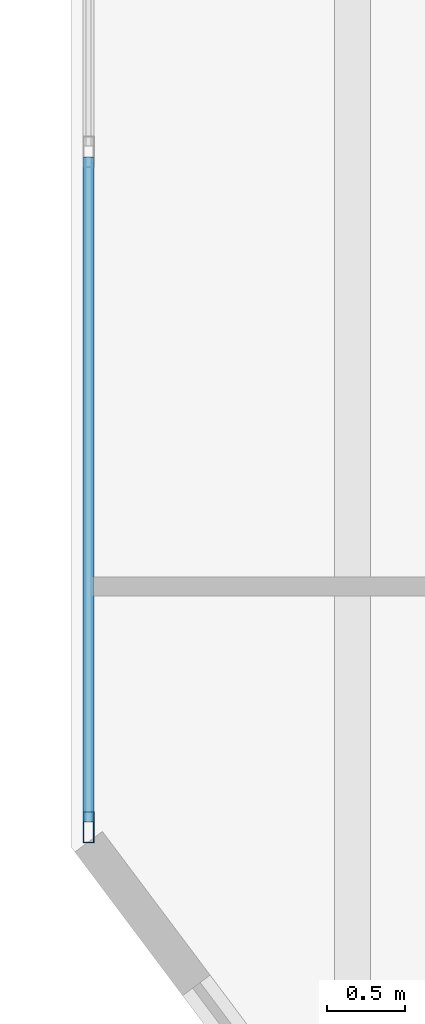
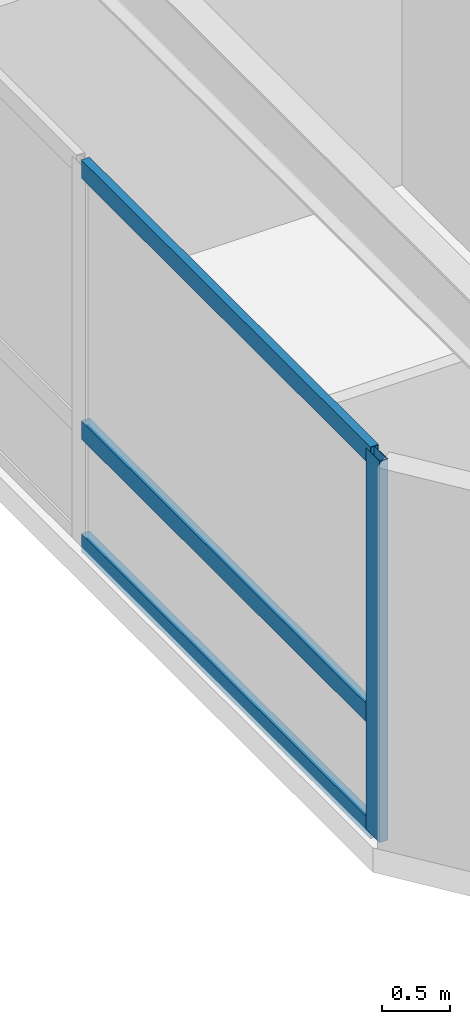
# One storey, part 8 of 25: 4 members, 1 element without a shape of its own.
"""IFC4 building model written with IfcOpenShell, lengths in metres."""

from ifc_helpers import new_model, si_unit, direction, frame, origin, origin_2d, place, context, subcontext, project, spatial, hollow_rectangle, extrude, material, material_profile, profile_set, type_object, element, aggregate, save


model = new_model("IFC4")

# Units and contexts
model_context = context("Model", 3, precision=1e-05, world=origin(), true_north=direction((0.0, 1.0)))
body_context = subcontext(model_context, "Body", "Model", "MODEL_VIEW")
ifc_project = project(units=[si_unit("LENGTHUNIT", "METRE"), si_unit("AREAUNIT", "SQUARE_METRE"), si_unit("VOLUMEUNIT", "CUBIC_METRE"), si_unit("PLANEANGLEUNIT", "RADIAN"), si_unit("MASSUNIT", "GRAM", prefix="KILO")], contexts=[model_context])

# Site, building, storey
site_placement = place(None, origin())
site = spatial("IfcSite", under=ifc_project, at=site_placement, CompositionType="ELEMENT")
building_placement = place(site_placement, origin())
building = spatial("IfcBuilding", under=site, at=building_placement, Name="Khamvora Tower", CompositionType="ELEMENT")
storey_placement = place(building_placement, frame((0.0, 0.0, 36.949951171875)))
storey = spatial("IfcBuildingStorey", under=building, at=storey_placement, Name="L08", CompositionType="ELEMENT", Elevation=36.949951171875)

# Curtain wall, members
ifc_material = material(Name="Anodised Aluminium 6063-T6", Category="aluminium")
curtain_wall_type = type_object("IfcCurtainWallType", Name="CW-SYS-02", PredefinedType="NOTDEFINED", material=ifc_material)
curtain_wall_placement = place(storey_placement, origin())
curtain_wall = element("IfcCurtainWall", 1, at=curtain_wall_placement, inside=storey, type_object=curtain_wall_type, Name="L08 stick curtain wall 05.1", PredefinedType="NOTDEFINED")
ifc_material_profile_1 = material_profile(ifc_material, hollow_rectangle(XDim=0.070068359375, YDim=0.199951171875, WallThickness=0.0048828125, at=origin_2d()), Name="MUL70x200x5")
ifc_profile_set_1 = profile_set([ifc_material_profile_1], Name="Anodised Aluminium 6063-T6")
member_type_1 = type_object("IfcMemberType", Name="CW-SYS-02-MUL", PredefinedType="MULLION", material=ifc_profile_set_1)
member_1_placement = place(storey_placement, frame((4.110107421875, 31.330078125, 0.0), z_axis=(0.0, 0.0, 1.0), x_axis=(-1.0, 0.0, 0.0)))
member_1 = element("IfcMember", 2, at=member_1_placement, type_object=member_type_1, Name="CW-02 mullion 1", PredefinedType="MULLION", context=body_context, shape_type="SweptSolid", body=[
    extrude(hollow_rectangle(XDim=0.070068359375, YDim=0.199951171875, WallThickness=0.0048828125, at=origin_2d()), origin(), (0.0, 0.0, 1.0), 3.429931640625),
])
ifc_material_profile_2 = material_profile(ifc_material, hollow_rectangle(XDim=0.070068359375, YDim=0.1650390625, WallThickness=0.0048828125, at=origin_2d()), Name="TRN70x165x5")
ifc_profile_set_2 = profile_set([ifc_material_profile_2], Name="Anodised Aluminium 6063-T6")
member_type_2 = type_object("IfcMemberType", Name="CW-SYS-02-TRN", PredefinedType="USERDEFINED", material=ifc_profile_set_2)
member_2_placement = place(storey_placement, frame((4.110107421875, 31.364990234375, 0.03515625), z_axis=(0.0, 1.0, 0.0), x_axis=(-1.0, 0.0, 0.0)))
member_2 = element("IfcMember", 3, at=member_2_placement, type_object=member_type_2, Name="CW-02 transom 1.1", ObjectType="TRANSOM", PredefinedType="USERDEFINED", context=body_context, shape_type="SweptSolid", body=[
    extrude(hollow_rectangle(XDim=0.070068359375, YDim=0.1650390625, WallThickness=0.0048828125, at=origin_2d()), origin(), (0.0, 0.0, 1.0), 4.259765625),
])
member_3_placement = place(storey_placement, frame((4.110107421875, 31.364990234375, 1.050048828125), z_axis=(0.0, 1.0, 0.0), x_axis=(-1.0, 0.0, 0.0)))
member_3 = element("IfcMember", 4, at=member_3_placement, type_object=member_type_2, Name="CW-02 transom 1.2", ObjectType="TRANSOM", PredefinedType="USERDEFINED", context=body_context, shape_type="SweptSolid", body=[
    extrude(hollow_rectangle(XDim=0.070068359375, YDim=0.1650390625, WallThickness=0.0048828125, at=origin_2d()), origin(), (0.0, 0.0, 1.0), 4.259765625),
])
member_4_placement = place(storey_placement, frame((4.110107421875, 31.364990234375, 3.39501953125), z_axis=(0.0, 1.0, 0.0), x_axis=(-1.0, 0.0, 0.0)))
member_4 = element("IfcMember", 5, at=member_4_placement, type_object=member_type_2, Name="CW-02 transom 1.3", ObjectType="TRANSOM", PredefinedType="USERDEFINED", context=body_context, shape_type="SweptSolid", body=[
    extrude(hollow_rectangle(XDim=0.070068359375, YDim=0.1650390625, WallThickness=0.0048828125, at=origin_2d()), origin(), (0.0, 0.0, 1.0), 4.259765625),
])
aggregate(curtain_wall, [member_1, member_2, member_3, member_4])

save(model, "model.ifc")
